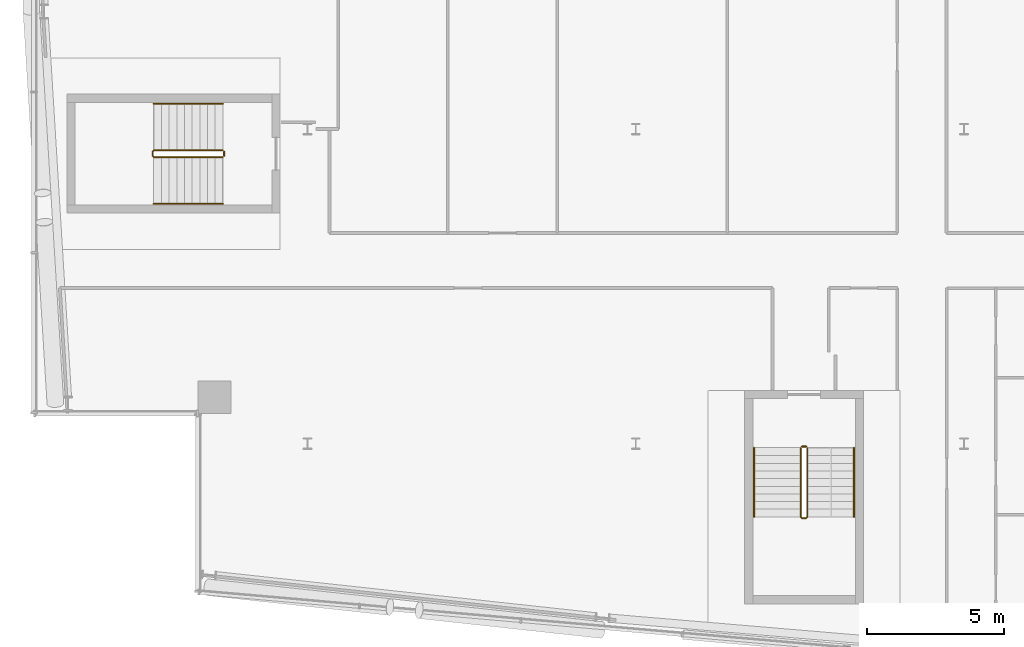
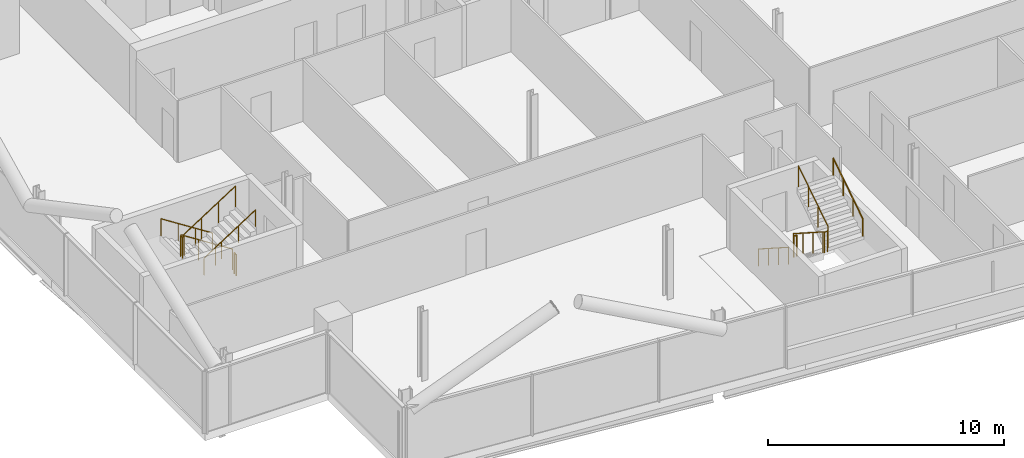
# One storey, part 24 of 26: 8 railings.
"""IFC4 building model written with IfcOpenShell, lengths in metres."""

from ifc_helpers import new_model, si_unit, direction, frame, origin, origin_2d, place, context, subcontext, project, spatial, circle, extrude, material, type_object, element, save


model = new_model("IFC4")

# Units and contexts
model_context = context("Model", 3, precision=1e-05, world=origin(), true_north=direction((0.0, 1.0)))
body_context = subcontext(model_context, "Body", "Model", "MODEL_VIEW")
ifc_project = project(units=[si_unit("LENGTHUNIT", "METRE"), si_unit("AREAUNIT", "SQUARE_METRE"), si_unit("VOLUMEUNIT", "CUBIC_METRE"), si_unit("PLANEANGLEUNIT", "RADIAN"), si_unit("MASSUNIT", "GRAM", prefix="KILO")], contexts=[model_context])

# Site, building, storey
site_placement = place(None, origin())
site = spatial("IfcSite", under=ifc_project, at=site_placement, CompositionType="ELEMENT")
building_placement = place(site_placement, origin())
building = spatial("IfcBuilding", under=site, at=building_placement, Name="Wharfspan Tower", CompositionType="ELEMENT")
storey_placement = place(building_placement, frame((0.0, 0.0, 217.899902)))
storey = spatial("IfcBuildingStorey", under=building, at=storey_placement, Name="L54", CompositionType="ELEMENT", Elevation=217.899902)

# Railings
ifc_material = material(Name="Steel S355J2", Category="steel")
railing_type_1 = type_object("IfcRailingType", Name="Stair guard 1100", PredefinedType="GUARDRAIL", material=ifc_material)
railing_1_placement = place(storey_placement, frame((20.899902, 22.225098, 0.180176)))
element("IfcRailing", 1, at=railing_1_placement, inside=storey, type_object=railing_type_1, Name="L54 ST3 stair guard 1", PredefinedType="GUARDRAIL", context=body_context, shape_type="SweptSolid", body=[
    extrude(circle(Radius=0.023926, at=origin_2d()), frame((0.0, 0.0, 1.076172), z_axis=(-0.8412, 0.0, 0.540725), x_axis=(0.0, -1.0, 0.0)), (0.0, 0.0, 1.0), 2.99585),
    extrude(circle(Radius=0.023926, at=origin_2d()), frame((-2.52002, 0.0, 2.695801), z_axis=(-0.705376, -0.708834, 0.0), x_axis=(0.708834, -0.705376, 0.0)), (0.0, 0.0, 1.0), 0.070557),
    extrude(circle(Radius=0.023926, at=origin_2d()), frame((-2.569824, -0.050049, 2.695801), z_axis=(0.0, -1.0, 0.0), x_axis=(1.0, 0.0, 0.0)), (0.0, 0.0, 1.0), 0.150146),
    extrude(circle(Radius=0.023926, at=origin_2d()), frame((-2.569824, -0.200195, 2.695801), z_axis=(0.257753, -0.257753, 0.931196), x_axis=(0.707107, 0.707107, 0.0)), (0.0, 0.0, 1.0), 0.193115),
    extrude(circle(Radius=0.023926, at=origin_2d()), frame((-2.52002, -0.25, 2.875977), z_axis=(0.841163, 0.0, 0.540782), x_axis=(0.0, 1.0, 0.0)), (0.0, 0.0, 1.0), 2.99585),
    extrude(circle(Radius=0.020996, at=origin_2d()), origin(), (0.0, 0.0, 1.0), 1.052002),
    extrude(circle(Radius=0.020996, at=origin_2d()), frame((-0.840088, 0.0, 0.540039)), (0.0, 0.0, 1.0), 1.052002),
    extrude(circle(Radius=0.020996, at=origin_2d()), frame((-1.679932, 0.0, 1.079834)), (0.0, 0.0, 1.0), 1.052002),
    extrude(circle(Radius=0.020996, at=origin_2d()), frame((-2.52002, 0.0, 1.619873)), (0.0, 0.0, 1.0), 1.052002),
    extrude(circle(Radius=0.020996, at=origin_2d()), frame((-2.569824, -0.050049, 1.619873)), (0.0, 0.0, 1.0), 1.052002),
    extrude(circle(Radius=0.020996, at=origin_2d()), frame((-2.569824, -0.200195, 1.619873)), (0.0, 0.0, 1.0), 1.052002),
    extrude(circle(Radius=0.020996, at=origin_2d()), frame((-2.52002, -0.25, 1.799805)), (0.0, 0.0, 1.0), 1.052002),
    extrude(circle(Radius=0.020996, at=origin_2d()), frame((-1.679932, -0.25, 2.339844)), (0.0, 0.0, 1.0), 1.052002),
    extrude(circle(Radius=0.020996, at=origin_2d()), frame((-0.840088, -0.25, 2.879883)), (0.0, 0.0, 1.0), 1.052002),
    extrude(circle(Radius=0.020996, at=origin_2d()), frame((0.0, -0.25, 3.419922)), (0.0, 0.0, 1.0), 1.052002),
])
railing_2_placement = place(storey_placement, frame((20.949951, 22.175049, 0.0)))
element("IfcRailing", 2, at=railing_2_placement, inside=storey, type_object=railing_type_1, Name="L54 ST3 stair guard 2", PredefinedType="GUARDRAIL", context=body_context, shape_type="SweptSolid", body=[
    extrude(circle(Radius=0.023926, at=origin_2d()), frame((0.0, 0.0, 1.076172), z_axis=(0.0, -1.0, 0.0), x_axis=(1.0, 0.0, 0.0)), (0.0, 0.0, 1.0), 0.150146),
    extrude(circle(Radius=0.020996, at=origin_2d()), origin(), (0.0, 0.0, 1.0), 1.052002),
    extrude(circle(Radius=0.020996, at=origin_2d()), frame((0.0, -0.150146, 0.0)), (0.0, 0.0, 1.0), 1.052002),
])
railing_3_placement = place(storey_placement, frame((42.0271, 11.343262, 0.180176)))
element("IfcRailing", 3, at=railing_3_placement, inside=storey, type_object=railing_type_1, Name="L54 ST4 stair guard 1", PredefinedType="GUARDRAIL", context=body_context, shape_type="SweptSolid", body=[
    extrude(circle(Radius=0.023926, at=origin_2d()), frame((0.0, 0.0, 1.076172), z_axis=(0.0, -0.8412, 0.540725), x_axis=(1.0, 0.0, 0.0)), (0.0, 0.0, 1.0), 2.99585),
    extrude(circle(Radius=0.023926, at=origin_2d()), frame((0.0, -2.52002, 2.695801), z_axis=(0.707107, -0.707107, 0.0), x_axis=(0.707107, 0.707107, 0.0)), (0.0, 0.0, 1.0), 0.070801),
    extrude(circle(Radius=0.023926, at=origin_2d()), frame((0.050049, -2.570068, 2.695801), z_axis=(1.0, 0.0, 0.0), x_axis=(0.0, 1.0, 0.0)), (0.0, 0.0, 1.0), 0.149902),
    extrude(circle(Radius=0.023926, at=origin_2d()), frame((0.199951, -2.570068, 2.695801), z_axis=(0.258848, 0.258848, 0.930589), x_axis=(-0.707107, 0.707107, 0.0)), (0.0, 0.0, 1.0), 0.193359),
    extrude(circle(Radius=0.023926, at=origin_2d()), frame((0.25, -2.52002, 2.875977), z_axis=(0.0, 0.841163, 0.540782), x_axis=(-1.0, 0.0, 0.0)), (0.0, 0.0, 1.0), 2.99585),
    extrude(circle(Radius=0.020996, at=origin_2d()), origin(), (0.0, 0.0, 1.0), 1.052002),
    extrude(circle(Radius=0.020996, at=origin_2d()), frame((0.0, -0.840088, 0.540039)), (0.0, 0.0, 1.0), 1.052002),
    extrude(circle(Radius=0.020996, at=origin_2d()), frame((0.0, -1.679932, 1.079834)), (0.0, 0.0, 1.0), 1.052002),
    extrude(circle(Radius=0.020996, at=origin_2d()), frame((0.0, -2.52002, 1.619873)), (0.0, 0.0, 1.0), 1.052002),
    extrude(circle(Radius=0.020996, at=origin_2d()), frame((0.050049, -2.570068, 1.619873)), (0.0, 0.0, 1.0), 1.052002),
    extrude(circle(Radius=0.020996, at=origin_2d()), frame((0.199951, -2.570068, 1.619873)), (0.0, 0.0, 1.0), 1.052002),
    extrude(circle(Radius=0.020996, at=origin_2d()), frame((0.25, -2.52002, 1.799805)), (0.0, 0.0, 1.0), 1.052002),
    extrude(circle(Radius=0.020996, at=origin_2d()), frame((0.25, -1.679932, 2.339844)), (0.0, 0.0, 1.0), 1.052002),
    extrude(circle(Radius=0.020996, at=origin_2d()), frame((0.25, -0.840088, 2.879883)), (0.0, 0.0, 1.0), 1.052002),
    extrude(circle(Radius=0.020996, at=origin_2d()), frame((0.25, 0.0, 3.419922)), (0.0, 0.0, 1.0), 1.052002),
])
railing_4_placement = place(storey_placement, frame((42.077148, 11.393311, 0.0)))
element("IfcRailing", 4, at=railing_4_placement, inside=storey, type_object=railing_type_1, Name="L54 ST4 stair guard 2", PredefinedType="GUARDRAIL", context=body_context, shape_type="SweptSolid", body=[
    extrude(circle(Radius=0.023926, at=origin_2d()), frame((0.0, 0.0, 1.076172), z_axis=(1.0, 0.0, 0.0), x_axis=(0.0, 1.0, 0.0)), (0.0, 0.0, 1.0), 0.149902),
    extrude(circle(Radius=0.020996, at=origin_2d()), origin(), (0.0, 0.0, 1.0), 1.052002),
    extrude(circle(Radius=0.020996, at=origin_2d()), frame((0.149902, 0.0, 0.0)), (0.0, 0.0, 1.0), 1.052002),
])
railing_type_2 = type_object("IfcRailingType", Name="Stair handrail 900", PredefinedType="HANDRAIL", material=ifc_material)
railing_5_placement = place(storey_placement, frame((20.899902, 23.925049, 0.180176)))
element("IfcRailing", 5, at=railing_5_placement, inside=storey, type_object=railing_type_2, Name="L54 ST3 stair handrail 1", PredefinedType="HANDRAIL", context=body_context, shape_type="SweptSolid", body=[
    extrude(circle(Radius=0.023926, at=origin_2d()), frame((0.0, 0.0, 0.875977), z_axis=(-0.8412, 0.0, 0.540725), x_axis=(0.0, -1.0, 0.0)), (0.0, 0.0, 1.0), 2.99585),
    extrude(circle(Radius=0.020996, at=origin_2d()), origin(), (0.0, 0.0, 1.0), 0.851807),
    extrude(circle(Radius=0.020996, at=origin_2d()), frame((-0.840088, 0.0, 0.540039)), (0.0, 0.0, 1.0), 0.851807),
    extrude(circle(Radius=0.020996, at=origin_2d()), frame((-1.679932, 0.0, 1.079834)), (0.0, 0.0, 1.0), 0.851807),
    extrude(circle(Radius=0.020996, at=origin_2d()), frame((-2.52002, 0.0, 1.619873)), (0.0, 0.0, 1.0), 0.851807),
])
railing_6_placement = place(storey_placement, frame((18.379883, 20.274902, 1.97998)))
element("IfcRailing", 6, at=railing_6_placement, inside=storey, type_object=railing_type_2, Name="L54 ST3 stair handrail 2", PredefinedType="HANDRAIL", context=body_context, shape_type="SweptSolid", body=[
    extrude(circle(Radius=0.023926, at=origin_2d()), frame((0.0, 0.0, 0.875977), z_axis=(0.841163, 0.0, 0.540782), x_axis=(0.0, 1.0, 0.0)), (0.0, 0.0, 1.0), 2.99585),
    extrude(circle(Radius=0.020996, at=origin_2d()), origin(), (0.0, 0.0, 1.0), 0.851807),
    extrude(circle(Radius=0.020996, at=origin_2d()), frame((0.840088, 0.0, 0.540039)), (0.0, 0.0, 1.0), 0.851807),
    extrude(circle(Radius=0.020996, at=origin_2d()), frame((1.679932, 0.0, 1.080078)), (0.0, 0.0, 1.0), 0.851807),
    extrude(circle(Radius=0.020996, at=origin_2d()), frame((2.52002, 0.0, 1.620117)), (0.0, 0.0, 1.0), 0.851807),
])
railing_7_placement = place(storey_placement, frame((40.327148, 11.343262, 0.180176)))
element("IfcRailing", 7, at=railing_7_placement, inside=storey, type_object=railing_type_2, Name="L54 ST4 stair handrail 1", PredefinedType="HANDRAIL", context=body_context, shape_type="SweptSolid", body=[
    extrude(circle(Radius=0.023926, at=origin_2d()), frame((0.0, 0.0, 0.875977), z_axis=(0.0, -0.8412, 0.540725), x_axis=(1.0, 0.0, 0.0)), (0.0, 0.0, 1.0), 2.99585),
    extrude(circle(Radius=0.020996, at=origin_2d()), origin(), (0.0, 0.0, 1.0), 0.851807),
    extrude(circle(Radius=0.020996, at=origin_2d()), frame((0.0, -0.840088, 0.540039)), (0.0, 0.0, 1.0), 0.851807),
    extrude(circle(Radius=0.020996, at=origin_2d()), frame((0.0, -1.679932, 1.079834)), (0.0, 0.0, 1.0), 0.851807),
    extrude(circle(Radius=0.020996, at=origin_2d()), frame((0.0, -2.52002, 1.619873)), (0.0, 0.0, 1.0), 0.851807),
])
railing_8_placement = place(storey_placement, frame((43.977051, 8.823242, 1.97998)))
element("IfcRailing", 8, at=railing_8_placement, inside=storey, type_object=railing_type_2, Name="L54 ST4 stair handrail 2", PredefinedType="HANDRAIL", context=body_context, shape_type="SweptSolid", body=[
    extrude(circle(Radius=0.023926, at=origin_2d()), frame((0.0, 0.0, 0.875977), z_axis=(0.0, 0.841163, 0.540782), x_axis=(-1.0, 0.0, 0.0)), (0.0, 0.0, 1.0), 2.99585),
    extrude(circle(Radius=0.020996, at=origin_2d()), origin(), (0.0, 0.0, 1.0), 0.851807),
    extrude(circle(Radius=0.020996, at=origin_2d()), frame((0.0, 0.840088, 0.540039)), (0.0, 0.0, 1.0), 0.851807),
    extrude(circle(Radius=0.020996, at=origin_2d()), frame((0.0, 1.679932, 1.080078)), (0.0, 0.0, 1.0), 0.851807),
    extrude(circle(Radius=0.020996, at=origin_2d()), frame((0.0, 2.52002, 1.620117)), (0.0, 0.0, 1.0), 0.851807),
])

save(model, "model.ifc")
